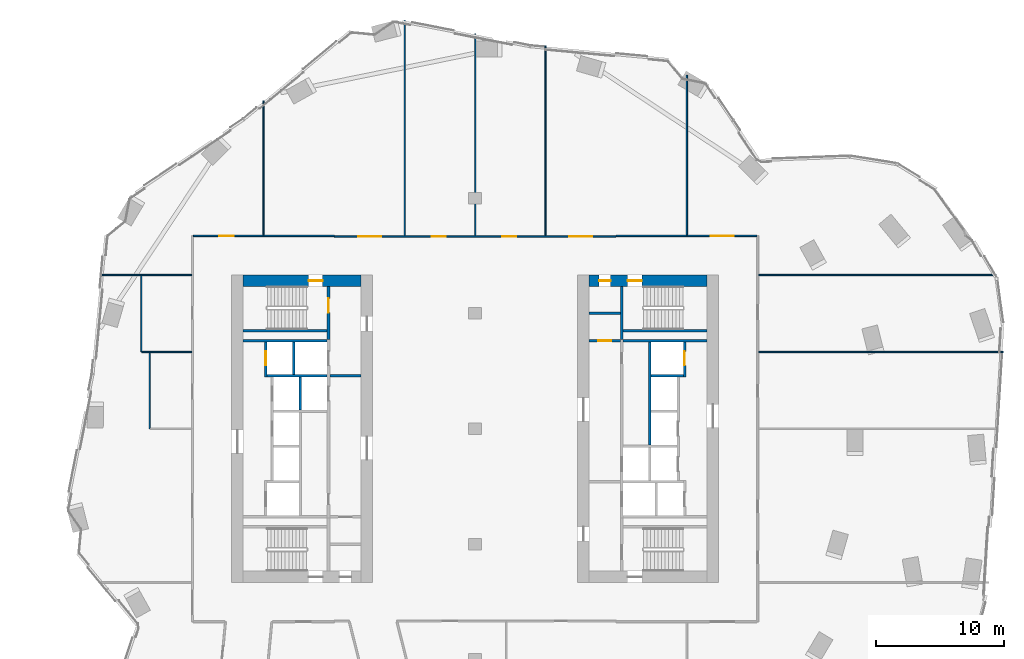
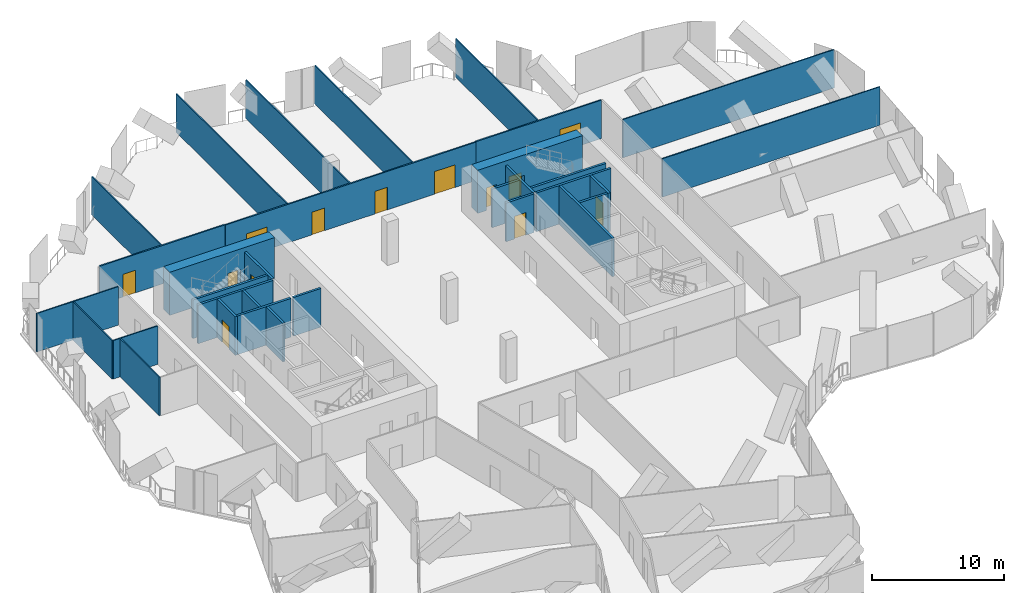
# One storey, part 23 of 28: 32 walls, 13 doors, 13 openings.
"""IFC4 building model written with IfcOpenShell, lengths in metres."""

from ifc_helpers import new_model, si_unit, direction, frame, frame_2d, origin, place, context, subcontext, project, spatial, rectangle, extrude, material, layer, layer_set, type_object, element, fill, save


model = new_model("IFC4")

# Units and contexts
model_context = context("Model", 3, precision=1e-05, world=origin(), true_north=direction((0.0, 1.0)))
body_context = subcontext(model_context, "Body", "Model", "MODEL_VIEW")
ifc_project = project(units=[si_unit("LENGTHUNIT", "METRE"), si_unit("AREAUNIT", "SQUARE_METRE"), si_unit("VOLUMEUNIT", "CUBIC_METRE"), si_unit("PLANEANGLEUNIT", "RADIAN"), si_unit("MASSUNIT", "GRAM", prefix="KILO")], contexts=[model_context])

# Site, building, storey
site_placement = place(None, origin())
site = spatial("IfcSite", under=ifc_project, at=site_placement, CompositionType="ELEMENT")
building_placement = place(site_placement, origin())
building = spatial("IfcBuilding", under=site, at=building_placement, Name="Orlundy Tower", CompositionType="ELEMENT")
storey_placement = place(building_placement, frame((0.0, 0.0, 163.10009765625)))
storey = spatial("IfcBuildingStorey", under=building, at=storey_placement, Name="L42", CompositionType="ELEMENT", Elevation=163.10009765625)

# Wall, opening, door
ifc_material_1 = material(Name="Concrete C70/85", Category="concrete")
ifc_layer_1 = layer(ifc_material_1, 0.89990234375)
ifc_layer_set_1 = layer_set([ifc_layer_1], Name="CORE WALL 900 C70/85")
wall_type_1 = type_object("IfcWallType", Name="CORE WALL 900 C70/85", PredefinedType="SHEAR", material=ifc_layer_set_1)
wall_1_placement = place(storey_placement, frame((-18.10009765625, 11.550048828125, 0.0), z_axis=(0.0, 0.0, 1.0), x_axis=(1.0, 0.0, 0.0)))
wall_1 = element("IfcWall", 1, at=wall_1_placement, inside=storey, type_object=wall_type_1, Name="Core wall W-N L42", PredefinedType="SHEAR", context=body_context, shape_type="SweptSolid", body=[
    extrude(rectangle(XDim=9.2001953125, YDim=0.89990234375, at=frame_2d((4.60009765625, 0.0))), origin(), (0.0, 0.0, 1.0), 4.0),
])
opening_1_placement = place(wall_1_placement, frame((5.10009765625, 0.0, 0.0)))
opening_1 = element("IfcOpeningElement", 2, at=opening_1_placement, cuts=wall_1, Name="Opening 33011", PredefinedType="OPENING", context=body_context, shape_type="SweptSolid", body=[
    extrude(rectangle(XDim=1.10009765625, YDim=2.10009765625, at=frame_2d((0.550048828125, 1.050048828125))), frame((0.0, 0.4599609375, 0.0), z_axis=(0.0, -1.0, 0.0), x_axis=(1.0, 0.0, 0.0)), (0.0, 0.0, 1.0), 0.919921875),
])
ifc_material_2 = material(Name="Steel door set", Category="steel")
door_type_1 = type_object("IfcDoorType", Name="Stair Door 1100x2100", OperationType="SINGLE_SWING_LEFT", PredefinedType="DOOR", material=ifc_material_2)
door_1_placement = place(opening_1_placement, origin())
door_1 = element("IfcDoor", 3, at=door_1_placement, inside=storey, type_object=door_type_1, Name="Stair door 33011", OperationType="SINGLE_SWING_RIGHT", OverallHeight=2.10009765625, OverallWidth=1.10009765625, PredefinedType="DOOR", context=body_context, shape_type="SweptSolid", body=[
    extrude(rectangle(XDim=1.10009765625, YDim=2.10009765625, at=frame_2d((0.550048828125, 1.050048828125))), frame((0.0, 0.02490234375, 0.0), z_axis=(0.0, -1.0, 0.0), x_axis=(1.0, 0.0, 0.0)), (0.0, 0.0, 1.0), 0.050048828125),
])
fill(opening_1, door_1)

# Wall, openings, doors
wall_2_placement = place(storey_placement, frame((8.89990234375, 11.550048828125, 0.0), z_axis=(0.0, 0.0, 1.0), x_axis=(1.0, 0.0, 0.0)))
wall_2 = element("IfcWall", 4, at=wall_2_placement, inside=storey, type_object=wall_type_1, Name="Core wall E-N L42", PredefinedType="SHEAR", context=body_context, shape_type="SweptSolid", body=[
    extrude(rectangle(XDim=9.2001953125, YDim=0.89990234375, at=frame_2d((4.60009765625, 0.0))), origin(), (0.0, 0.0, 1.0), 4.0),
])
opening_2_placement = place(wall_2_placement, frame((3.0, 0.0, 0.0)))
opening_2 = element("IfcOpeningElement", 5, at=opening_2_placement, cuts=wall_2, Name="Opening 33061", PredefinedType="OPENING", context=body_context, shape_type="SweptSolid", body=[
    extrude(rectangle(XDim=1.10009765625, YDim=2.10009765625, at=frame_2d((0.550048828125, 1.050048828125))), frame((0.0, 0.4599609375, 0.0), z_axis=(0.0, -1.0, 0.0), x_axis=(1.0, 0.0, 0.0)), (0.0, 0.0, 1.0), 0.919921875),
])
opening_3_placement = place(wall_2_placement, frame((0.77001953125, 0.0, 0.0)))
opening_3 = element("IfcOpeningElement", 6, at=opening_3_placement, cuts=wall_2, Name="Opening 33063", PredefinedType="OPENING", context=body_context, shape_type="SweptSolid", body=[
    extrude(rectangle(XDim=0.89990234375, YDim=2.10009765625, at=frame_2d((0.449951171875, 1.050048828125))), frame((0.0, 0.4599609375, 0.0), z_axis=(0.0, -1.0, 0.0), x_axis=(1.0, 0.0, 0.0)), (0.0, 0.0, 1.0), 0.919921875),
])
ifc_material_3 = material(Name="Timber door set", Category="wood")
door_type_2 = type_object("IfcDoorType", Name="Room Door 900x2100", OperationType="SINGLE_SWING_LEFT", PredefinedType="DOOR", material=ifc_material_3)
door_2_placement = place(opening_3_placement, origin())
door_2 = element("IfcDoor", 7, at=door_2_placement, inside=storey, type_object=door_type_2, Name="Store door 33063", OperationType="SINGLE_SWING_LEFT", OverallHeight=2.10009765625, OverallWidth=0.89990234375, PredefinedType="DOOR", context=body_context, shape_type="SweptSolid", body=[
    extrude(rectangle(XDim=0.89990234375, YDim=2.10009765625, at=frame_2d((0.449951171875, 1.050048828125))), frame((0.0, 0.02490234375, 0.0), z_axis=(0.0, -1.0, 0.0), x_axis=(1.0, 0.0, 0.0)), (0.0, 0.0, 1.0), 0.050048828125),
])
fill(opening_3, door_2)
door_3_placement = place(opening_2_placement, origin())
door_3 = element("IfcDoor", 8, at=door_3_placement, inside=storey, type_object=door_type_1, Name="Stair door 33061", OperationType="SINGLE_SWING_LEFT", OverallHeight=2.10009765625, OverallWidth=1.10009765625, PredefinedType="DOOR", context=body_context, shape_type="SweptSolid", body=[
    extrude(rectangle(XDim=1.10009765625, YDim=2.10009765625, at=frame_2d((0.550048828125, 1.050048828125))), frame((0.0, 0.02490234375, 0.0), z_axis=(0.0, -1.0, 0.0), x_axis=(1.0, 0.0, 0.0)), (0.0, 0.0, 1.0), 0.050048828125),
])
fill(opening_2, door_3)

# Walls
ifc_material_4 = material(Name="Gypsum board partition")
ifc_layer_2 = layer(ifc_material_4, 0.10009765625)
ifc_layer_set_2 = layer_set([ifc_layer_2], Name="Floor partition 100")
wall_type_2 = type_object("IfcWallType", Name="Floor partition 100", PredefinedType="PARTITIONING", material=ifc_layer_set_2)
wall_3_placement = place(storey_placement, frame((-25.998046875, 6.0009765625, 0.0), z_axis=(0.0, 0.0, 1.0), x_axis=(1.0, 0.0, 0.0)))
element("IfcWall", 9, at=wall_3_placement, inside=storey, type_object=wall_type_2, Name="wall-int-L42-050", PredefinedType="PARTITIONING", context=body_context, shape_type="SweptSolid", body=[
    extrude(rectangle(XDim=3.885009765625, YDim=0.10009765625, at=frame_2d((1.9423828125, 0.0))), origin(), (0.0, 0.0, 1.0), 3.559814453125),
])
wall_4_placement = place(storey_placement, frame((22.113037109375, 6.0, 0.0), z_axis=(0.0, 0.0, 1.0), x_axis=(1.0, 0.0, 0.0)))
element("IfcWall", 10, at=wall_4_placement, inside=storey, type_object=wall_type_2, Name="wall-int-L42-051", PredefinedType="PARTITIONING", context=body_context, shape_type="SweptSolid", body=[
    extrude(rectangle(XDim=19.080078125, YDim=0.10009765625, at=frame_2d((9.5400390625, 0.0))), origin(), (0.0, 0.0, 1.0), 3.559814453125),
])
wall_5_placement = place(storey_placement, frame((-29.260986328125, 12.0, 0.0), z_axis=(0.0, 0.0, 1.0), x_axis=(1.0, 0.0, 0.0)))
element("IfcWall", 11, at=wall_5_placement, inside=storey, type_object=wall_type_2, Name="wall-int-L42-052", PredefinedType="PARTITIONING", context=body_context, shape_type="SweptSolid", body=[
    extrude(rectangle(XDim=7.14794921875, YDim=0.10009765625, at=frame_2d((3.573974609375, 0.0))), origin(), (0.0, 0.0, 1.0), 3.559814453125),
])
wall_6_placement = place(storey_placement, frame((22.113037109375, 12.0, 0.0), z_axis=(0.0, 0.0, 1.0), x_axis=(1.0, 0.0, 0.0)))
element("IfcWall", 12, at=wall_6_placement, inside=storey, type_object=wall_type_2, Name="wall-int-L42-053", PredefinedType="PARTITIONING", context=body_context, shape_type="SweptSolid", body=[
    extrude(rectangle(XDim=18.555908203125, YDim=0.10009765625, at=frame_2d((9.27783203125, 0.0))), origin(), (0.0, 0.0, 1.0), 3.559814453125),
])
wall_7_placement = place(storey_placement, frame((16.52099609375, 15.114013671875, 0.0), z_axis=(0.0, 0.0, 1.0), x_axis=(0.0, 1.0, 0.0)))
element("IfcWall", 13, at=wall_7_placement, inside=storey, type_object=wall_type_2, Name="wall-int-L42-093", PredefinedType="PARTITIONING", context=body_context, shape_type="SweptSolid", body=[
    extrude(rectangle(XDim=12.489990234375, YDim=0.10009765625, at=frame_2d((6.2451171875, 0.0))), origin(), (0.0, 0.0, 1.0), 3.559814453125),
])
wall_8_placement = place(storey_placement, frame((5.4951171875, 15.06298828125, 0.0), z_axis=(0.0, 0.0, 1.0), x_axis=(0.0, 1.0, 0.0)))
element("IfcWall", 14, at=wall_8_placement, inside=storey, type_object=wall_type_2, Name="wall-int-L42-094", PredefinedType="PARTITIONING", context=body_context, shape_type="SweptSolid", body=[
    extrude(rectangle(XDim=14.805908203125, YDim=0.10009765625, at=frame_2d((7.40283203125, 0.0))), origin(), (0.0, 0.0, 1.0), 3.559814453125),
])
wall_9_placement = place(storey_placement, frame((0.0, 15.06298828125, 0.0), z_axis=(0.0, 0.0, 1.0), x_axis=(0.0, 1.0, 0.0)))
element("IfcWall", 15, at=wall_9_placement, inside=storey, type_object=wall_type_2, Name="wall-int-L42-096", PredefinedType="PARTITIONING", context=body_context, shape_type="SweptSolid", body=[
    extrude(rectangle(XDim=15.75390625, YDim=0.10009765625, at=frame_2d((7.876953125, 0.0))), origin(), (0.0, 0.0, 1.0), 3.559814453125),
])
wall_10_placement = place(storey_placement, frame((-5.4951171875, 15.06298828125, 0.0), z_axis=(0.0, 0.0, 1.0), x_axis=(0.0, 1.0, 0.0)))
element("IfcWall", 16, at=wall_10_placement, inside=storey, type_object=wall_type_2, Name="wall-int-L42-097", PredefinedType="PARTITIONING", context=body_context, shape_type="SweptSolid", body=[
    extrude(rectangle(XDim=16.821044921875, YDim=0.10009765625, at=frame_2d((8.41064453125, 0.0))), origin(), (0.0, 0.0, 1.0), 3.559814453125),
])
wall_11_placement = place(storey_placement, frame((-16.52001953125, 15.114013671875, 0.0), z_axis=(0.0, 0.0, 1.0), x_axis=(0.0, 1.0, 0.0)))
element("IfcWall", 17, at=wall_11_placement, inside=storey, type_object=wall_type_2, Name="wall-int-L42-103", PredefinedType="PARTITIONING", context=body_context, shape_type="SweptSolid", body=[
    extrude(rectangle(XDim=10.48388671875, YDim=0.10009765625, at=frame_2d((5.241943359375, 0.0))), origin(), (0.0, 0.0, 1.0), 3.559814453125),
])
for number, where, z_axis, x_axis, name in (
    (18, (-25.382080078125, 0.001953125, 0.0), (0.0, 0.0, 1.0), (0.0, 1.0, 0.0), "wall-int-L42-111"),
    (19, (-26.048095703125, 6.0009765625, 0.0), (0.0, 0.0, 1.0), (0.0, 1.0, 0.0), "wall-int-L42-113"),
):
    element("IfcWall", number, at=place(storey_placement, frame(where, z_axis=z_axis, x_axis=x_axis)), inside=storey, type_object=wall_type_2, Name=name, PredefinedType="PARTITIONING", context=body_context, shape_type="SweptSolid", body=[
        extrude(rectangle(XDim=5.948974609375, YDim=0.10009765625, at=frame_2d((2.974609375, 0.0))), origin(), (0.0, 0.0, 1.0), 3.559814453125),
    ])

# Wall, openings, doors
ifc_material_5 = material(Name="Gypsum board partition, double layer")
ifc_layer_3 = layer(ifc_material_5, 0.125)
ifc_layer_set_3 = layer_set([ifc_layer_3], Name="Floor partition 125")
wall_type_3 = type_object("IfcWallType", Name="Floor partition 125", PredefinedType="PARTITIONING", material=ifc_layer_set_3)
wall_12_placement = place(storey_placement, frame((-10.989990234375, 15.0009765625, 0.0), z_axis=(0.0, 0.0, 1.0), x_axis=(1.0, 0.0, 0.0)))
wall_12 = element("IfcWall", 20, at=wall_12_placement, inside=storey, type_object=wall_type_3, Name="wall-int-L42-054", PredefinedType="PARTITIONING", context=body_context, shape_type="SweptSolid", body=[
    extrude(rectangle(XDim=21.97998046875, YDim=0.125, at=frame_2d((10.989990234375, 0.0))), origin(), (0.0, 0.0, 1.0), 3.559814453125),
])
opening_4_placement = place(wall_12_placement, frame((18.3349609375, 0.0, 0.0)))
opening_4 = element("IfcOpeningElement", 21, at=opening_4_placement, cuts=wall_12, Name="Opening 33124", PredefinedType="OPENING", context=body_context, shape_type="SweptSolid", body=[
    extrude(rectangle(XDim=1.800048828125, YDim=2.10009765625, at=frame_2d((0.89990234375, 1.050048828125))), frame((0.0, 0.072509765625, 0.0), z_axis=(0.0, -1.0, 0.0), x_axis=(1.0, 0.0, 0.0)), (0.0, 0.0, 1.0), 0.14501953125),
])
opening_5_placement = place(wall_12_placement, frame((13.090087890625, 0.0, 0.0)))
opening_5 = element("IfcOpeningElement", 22, at=opening_5_placement, cuts=wall_12, Name="Opening 33125", PredefinedType="OPENING", context=body_context, shape_type="SweptSolid", body=[
    extrude(rectangle(XDim=1.10009765625, YDim=2.10009765625, at=frame_2d((0.550048828125, 1.050048828125))), frame((0.0, 0.072509765625, 0.0), z_axis=(0.0, -1.0, 0.0), x_axis=(1.0, 0.0, 0.0)), (0.0, 0.0, 1.0), 0.14501953125),
])
opening_6_placement = place(wall_12_placement, frame((7.594970703125, 0.0, 0.0)))
opening_6 = element("IfcOpeningElement", 23, at=opening_6_placement, cuts=wall_12, Name="Opening 33126", PredefinedType="OPENING", context=body_context, shape_type="SweptSolid", body=[
    extrude(rectangle(XDim=1.10009765625, YDim=2.10009765625, at=frame_2d((0.550048828125, 1.050048828125))), frame((0.0, 0.072509765625, 0.0), z_axis=(0.0, -1.0, 0.0), x_axis=(1.0, 0.0, 0.0)), (0.0, 0.0, 1.0), 0.14501953125),
])
opening_7_placement = place(wall_12_placement, frame((1.85009765625, 0.0, 0.0)))
opening_7 = element("IfcOpeningElement", 24, at=opening_7_placement, cuts=wall_12, Name="Opening 33127", PredefinedType="OPENING", context=body_context, shape_type="SweptSolid", body=[
    extrude(rectangle(XDim=1.800048828125, YDim=2.10009765625, at=frame_2d((0.89990234375, 1.050048828125))), frame((0.0, 0.072509765625, 0.0), z_axis=(0.0, -1.0, 0.0), x_axis=(1.0, 0.0, 0.0)), (0.0, 0.0, 1.0), 0.14501953125),
])
ifc_material_6 = material(Name="Timber door leaf", Category="wood")
door_type_3 = type_object("IfcDoorType", Name="Floor door double 1800 FD30S", OperationType="NOTDEFINED", PredefinedType="DOOR", material=ifc_material_6)
door_4_placement = place(opening_4_placement, origin())
door_4 = element("IfcDoor", 25, at=door_4_placement, inside=storey, type_object=door_type_3, Name="Door 33124", OperationType="DOUBLE_DOOR_SINGLE_SWING", OverallHeight=2.10009765625, OverallWidth=1.800048828125, PredefinedType="DOOR", context=body_context, shape_type="SweptSolid", body=[
    extrude(rectangle(XDim=1.800048828125, YDim=2.10009765625, at=frame_2d((0.89990234375, 1.050048828125))), frame((0.0, 0.02490234375, 0.0), z_axis=(0.0, -1.0, 0.0), x_axis=(1.0, 0.0, 0.0)), (0.0, 0.0, 1.0), 0.050048828125),
])
fill(opening_4, door_4)
door_5_placement = place(opening_7_placement, origin())
door_5 = element("IfcDoor", 26, at=door_5_placement, inside=storey, type_object=door_type_3, Name="Door 33127", OperationType="DOUBLE_DOOR_SINGLE_SWING", OverallHeight=2.10009765625, OverallWidth=1.800048828125, PredefinedType="DOOR", context=body_context, shape_type="SweptSolid", body=[
    extrude(rectangle(XDim=1.800048828125, YDim=2.10009765625, at=frame_2d((0.89990234375, 1.050048828125))), frame((0.0, 0.02490234375, 0.0), z_axis=(0.0, -1.0, 0.0), x_axis=(1.0, 0.0, 0.0)), (0.0, 0.0, 1.0), 0.050048828125),
])
fill(opening_7, door_5)
ifc_material_7 = material(Name="Timber door leaf", Category="wood")
door_type_4 = type_object("IfcDoorType", Name="Floor door xwide 1100 FD30S", OperationType="NOTDEFINED", PredefinedType="DOOR", material=ifc_material_7)
door_6_placement = place(opening_5_placement, origin())
door_6 = element("IfcDoor", 27, at=door_6_placement, inside=storey, type_object=door_type_4, Name="Door 33125", OperationType="SINGLE_SWING_RIGHT", OverallHeight=2.10009765625, OverallWidth=1.10009765625, PredefinedType="DOOR", context=body_context, shape_type="SweptSolid", body=[
    extrude(rectangle(XDim=1.10009765625, YDim=2.10009765625, at=frame_2d((0.550048828125, 1.050048828125))), frame((0.0, 0.02490234375, 0.0), z_axis=(0.0, -1.0, 0.0), x_axis=(1.0, 0.0, 0.0)), (0.0, 0.0, 1.0), 0.050048828125),
])
fill(opening_5, door_6)
door_7_placement = place(opening_6_placement, origin())
door_7 = element("IfcDoor", 28, at=door_7_placement, inside=storey, type_object=door_type_4, Name="Door 33126", OperationType="SINGLE_SWING_LEFT", OverallHeight=2.10009765625, OverallWidth=1.10009765625, PredefinedType="DOOR", context=body_context, shape_type="SweptSolid", body=[
    extrude(rectangle(XDim=1.10009765625, YDim=2.10009765625, at=frame_2d((0.550048828125, 1.050048828125))), frame((0.0, 0.02490234375, 0.0), z_axis=(0.0, -1.0, 0.0), x_axis=(1.0, 0.0, 0.0)), (0.0, 0.0, 1.0), 0.050048828125),
])
fill(opening_6, door_7)

# Wall, opening, door
wall_13_placement = place(storey_placement, frame((-21.988037109375, 15.051025390625, 0.0), z_axis=(0.0, 0.0, 1.0), x_axis=(1.0, 0.0, 0.0)))
wall_13 = element("IfcWall", 29, at=wall_13_placement, inside=storey, type_object=wall_type_3, Name="wall-int-L42-055", PredefinedType="PARTITIONING", context=body_context, shape_type="SweptSolid", body=[
    extrude(rectangle(XDim=10.9970703125, YDim=0.125, at=frame_2d((5.49853515625, 0.0))), origin(), (0.0, 0.0, 1.0), 3.559814453125),
])
opening_8_placement = place(wall_13_placement, frame((2.03759765625, 0.0, 0.0)))
opening_8 = element("IfcOpeningElement", 30, at=opening_8_placement, cuts=wall_13, Name="Opening 33128", PredefinedType="OPENING", context=body_context, shape_type="SweptSolid", body=[
    extrude(rectangle(XDim=1.10009765625, YDim=2.10009765625, at=frame_2d((0.550048828125, 1.050048828125))), frame((0.0, 0.072509765625, 0.0), z_axis=(0.0, -1.0, 0.0), x_axis=(1.0, 0.0, 0.0)), (0.0, 0.0, 1.0), 0.14501953125),
])
door_8_placement = place(opening_8_placement, origin())
door_8 = element("IfcDoor", 31, at=door_8_placement, inside=storey, type_object=door_type_4, Name="Door 33128", OperationType="SINGLE_SWING_LEFT", OverallHeight=2.10009765625, OverallWidth=1.10009765625, PredefinedType="DOOR", context=body_context, shape_type="SweptSolid", body=[
    extrude(rectangle(XDim=1.10009765625, YDim=2.10009765625, at=frame_2d((0.550048828125, 1.050048828125))), frame((0.0, 0.02490234375, 0.0), z_axis=(0.0, -1.0, 0.0), x_axis=(1.0, 0.0, 0.0)), (0.0, 0.0, 1.0), 0.050048828125),
])
fill(opening_8, door_8)

wall_14_placement = place(storey_placement, frame((10.990966796875, 15.051025390625, 0.0), z_axis=(0.0, 0.0, 1.0), x_axis=(1.0, 0.0, 0.0)))
wall_14 = element("IfcWall", 32, at=wall_14_placement, inside=storey, type_object=wall_type_3, Name="wall-int-L42-056", PredefinedType="PARTITIONING", context=body_context, shape_type="SweptSolid", body=[
    extrude(rectangle(XDim=10.9970703125, YDim=0.125, at=frame_2d((5.49853515625, 0.0))), origin(), (0.0, 0.0, 1.0), 3.559814453125),
])
opening_9_placement = place(wall_14_placement, frame((7.3798828125, 0.0, 0.0)))
opening_9 = element("IfcOpeningElement", 33, at=opening_9_placement, cuts=wall_14, Name="Opening 33123", PredefinedType="OPENING", context=body_context, shape_type="SweptSolid", body=[
    extrude(rectangle(XDim=1.800048828125, YDim=2.10009765625, at=frame_2d((0.89990234375, 1.050048828125))), frame((0.0, 0.072509765625, 0.0), z_axis=(0.0, -1.0, 0.0), x_axis=(1.0, 0.0, 0.0)), (0.0, 0.0, 1.0), 0.14501953125),
])
door_9_placement = place(opening_9_placement, origin())
door_9 = element("IfcDoor", 34, at=door_9_placement, inside=storey, type_object=door_type_3, Name="Door 33123", OperationType="DOUBLE_DOOR_SINGLE_SWING", OverallHeight=2.10009765625, OverallWidth=1.800048828125, PredefinedType="DOOR", context=body_context, shape_type="SweptSolid", body=[
    extrude(rectangle(XDim=1.800048828125, YDim=2.10009765625, at=frame_2d((0.89990234375, 1.050048828125))), frame((0.0, 0.02490234375, 0.0), z_axis=(0.0, -1.0, 0.0), x_axis=(1.0, 0.0, 0.0)), (0.0, 0.0, 1.0), 0.050048828125),
])
fill(opening_9, door_9)

ifc_material_8 = material(Name="Concrete C40/50", Category="concrete")
ifc_layer_4 = layer(ifc_material_8, 0.199951171875)
ifc_layer_set_4 = layer_set([ifc_layer_4], Name="Load-bearing Shaft Wall 200")
wall_type_4 = type_object("IfcWallType", Name="Load-bearing Shaft Wall 200", PredefinedType="SOLIDWALL", material=ifc_layer_set_4)
wall_15_placement = place(storey_placement, frame((-11.43994140625, 6.97509765625, 0.0), z_axis=(0.0, 0.0, 1.0), x_axis=(0.0, 1.0, 0.0)))
wall_15 = element("IfcWall", 35, at=wall_15_placement, inside=storey, type_object=wall_type_4, Name="Shaft wall W33-stair-end-n", PredefinedType="SOLIDWALL", context=body_context, shape_type="SweptSolid", body=[
    extrude(rectangle(XDim=4.125, YDim=0.199951171875, at=frame_2d((2.0625, 0.0))), origin(), (0.0, 0.0, 1.0), 3.579833984375),
])
opening_10_placement = place(wall_15_placement, frame((2.10009765625, 0.0, 0.0)))
opening_10 = element("IfcOpeningElement", 36, at=opening_10_placement, cuts=wall_15, Name="Opening 33013", PredefinedType="OPENING", context=body_context, shape_type="SweptSolid", body=[
    extrude(rectangle(XDim=1.10009765625, YDim=2.10009765625, at=frame_2d((0.550048828125, 1.050048828125))), frame((0.0, 0.110107421875, 0.0), z_axis=(0.0, -1.0, 0.0), x_axis=(1.0, 0.0, 0.0)), (0.0, 0.0, 1.0), 0.22021484375),
])
ifc_material_9 = material(Name="Steel door set", Category="steel")
door_type_5 = type_object("IfcDoorType", Name="Fire-fighting Lobby Door 1100x2100", OperationType="SINGLE_SWING_LEFT", PredefinedType="DOOR", material=ifc_material_9)
door_10_placement = place(opening_10_placement, origin())
door_10 = element("IfcDoor", 37, at=door_10_placement, inside=storey, type_object=door_type_5, Name="Fire-fighting lobby to stair door 33013", OperationType="SINGLE_SWING_RIGHT", OverallHeight=2.10009765625, OverallWidth=1.10009765625, PredefinedType="DOOR", context=body_context, shape_type="SweptSolid", body=[
    extrude(rectangle(XDim=1.10009765625, YDim=2.10009765625, at=frame_2d((0.550048828125, 1.050048828125))), frame((0.0, 0.02490234375, 0.0), z_axis=(0.0, -1.0, 0.0), x_axis=(1.0, 0.0, 0.0)), (0.0, 0.0, 1.0), 0.050048828125),
])
fill(opening_10, door_10)

# Walls
wall_16_placement = place(storey_placement, frame((-11.5400390625, 7.64990234375, 0.0), z_axis=(0.0, 0.0, 1.0), x_axis=(-1.0, 0.0, 0.0)))
element("IfcWall", 38, at=wall_16_placement, inside=storey, type_object=wall_type_4, Name="Shaft wall W33-stair-side-n", PredefinedType="SOLIDWALL", context=body_context, shape_type="SweptSolid", body=[
    extrude(rectangle(XDim=6.56005859375, YDim=0.199951171875, at=frame_2d((3.280029296875, 0.0))), origin(), (0.0, 0.0, 1.0), 3.579833984375),
])
wall_17_placement = place(storey_placement, frame((11.43994140625, 11.10009765625, 0.0), z_axis=(0.0, 0.0, 1.0), x_axis=(0.0, -1.0, 0.0)))
element("IfcWall", 39, at=wall_17_placement, inside=storey, type_object=wall_type_4, Name="Shaft wall E33-stair-end-s", PredefinedType="SOLIDWALL", context=body_context, shape_type="SweptSolid", body=[
    extrude(rectangle(XDim=4.125, YDim=0.199951171875, at=frame_2d((2.0625, 0.0))), origin(), (0.0, 0.0, 1.0), 3.579833984375),
])
wall_18_placement = place(storey_placement, frame((11.5400390625, 7.64990234375, 0.0), z_axis=(0.0, 0.0, 1.0), x_axis=(1.0, 0.0, 0.0)))
element("IfcWall", 40, at=wall_18_placement, inside=storey, type_object=wall_type_4, Name="Shaft wall E33-stair-side-s", PredefinedType="SOLIDWALL", context=body_context, shape_type="SweptSolid", body=[
    extrude(rectangle(XDim=6.56005859375, YDim=0.199951171875, at=frame_2d((3.280029296875, 0.0))), origin(), (0.0, 0.0, 1.0), 3.579833984375),
])
ifc_material_10 = material(Name="Gypsum board partition on steel studs", Category="steel")
ifc_layer_5 = layer(ifc_material_10, 0.199951171875)
ifc_layer_set_5 = layer_set([ifc_layer_5], Name="Partition 200")
wall_type_5 = type_object("IfcWallType", Name="Partition 200", PredefinedType="PARTITIONING", material=ifc_layer_set_5)
wall_19_placement = place(storey_placement, frame((-8.89990234375, 4.125, 0.0), z_axis=(0.0, 0.0, 1.0), x_axis=(-1.0, 0.0, 0.0)))
element("IfcWall", 41, at=wall_19_placement, inside=storey, type_object=wall_type_5, Name="Partition wall W33-lobby-n", PredefinedType="PARTITIONING", context=body_context, shape_type="SweptSolid", body=[
    extrude(rectangle(XDim=2.440185546875, YDim=0.199951171875, at=frame_2d((1.22021484375, 0.0))), origin(), (0.0, 0.0, 1.0), 3.579833984375),
])

# Wall, opening, door
wall_20_placement = place(storey_placement, frame((8.89990234375, 6.875, 0.0), z_axis=(0.0, 0.0, 1.0), x_axis=(1.0, 0.0, 0.0)))
wall_20 = element("IfcWall", 42, at=wall_20_placement, inside=storey, type_object=wall_type_5, Name="Partition wall E33-end-s", PredefinedType="PARTITIONING", context=body_context, shape_type="SweptSolid", body=[
    extrude(rectangle(XDim=2.440185546875, YDim=0.199951171875, at=frame_2d((1.22021484375, 0.0))), origin(), (0.0, 0.0, 1.0), 3.579833984375),
])
opening_11_placement = place(wall_20_placement, frame((0.719970703125, 0.0, 0.0)))
opening_11 = element("IfcOpeningElement", 43, at=opening_11_placement, cuts=wall_20, Name="Opening 33064", PredefinedType="OPENING", context=body_context, shape_type="SweptSolid", body=[
    extrude(rectangle(XDim=1.0, YDim=2.10009765625, at=frame_2d((0.5, 1.050048828125))), frame((0.0, 0.110107421875, 0.0), z_axis=(0.0, -1.0, 0.0), x_axis=(1.0, 0.0, 0.0)), (0.0, 0.0, 1.0), 0.22021484375),
])
ifc_material_11 = material(Name="Timber door set", Category="wood")
door_type_6 = type_object("IfcDoorType", Name="Accessible Door 1000x2100", OperationType="SINGLE_SWING_LEFT", PredefinedType="DOOR", material=ifc_material_11)
door_11_placement = place(opening_11_placement, origin())
door_11 = element("IfcDoor", 44, at=door_11_placement, inside=storey, type_object=door_type_6, Name="Accessible WC door 33064", OperationType="SINGLE_SWING_RIGHT", OverallHeight=2.10009765625, OverallWidth=1.0, PredefinedType="DOOR", context=body_context, shape_type="SweptSolid", body=[
    extrude(rectangle(XDim=1.0, YDim=2.10009765625, at=frame_2d((0.5, 1.050048828125))), frame((0.0, 0.02490234375, 0.0), z_axis=(0.0, -1.0, 0.0), x_axis=(1.0, 0.0, 0.0)), (0.0, 0.0, 1.0), 0.050048828125),
])
fill(opening_11, door_11)

# Walls
wall_21_placement = place(storey_placement, frame((8.89990234375, 9.0, 0.0), z_axis=(0.0, 0.0, 1.0), x_axis=(1.0, 0.0, 0.0)))
element("IfcWall", 45, at=wall_21_placement, inside=storey, type_object=wall_type_5, Name="Partition wall E33-room-s0", PredefinedType="PARTITIONING", context=body_context, shape_type="SweptSolid", body=[
    extrude(rectangle(XDim=2.440185546875, YDim=0.199951171875, at=frame_2d((1.22021484375, 0.0))), origin(), (0.0, 0.0, 1.0), 3.579833984375),
])
ifc_material_12 = material(Name="Fire-rated blockwork shaft wall", Category="masonry")
ifc_layer_6 = layer(ifc_material_12, 0.199951171875)
ifc_layer_set_6 = layer_set([ifc_layer_6], Name="Shaft Wall 200")
wall_type_6 = type_object("IfcWallType", Name="Shaft Wall 200", PredefinedType="SOLIDWALL", material=ifc_layer_set_6)
wall_22_placement = place(storey_placement, frame((-11.5400390625, 6.875, 0.0), z_axis=(0.0, 0.0, 1.0), x_axis=(-1.0, 0.0, 0.0)))
element("IfcWall", 46, at=wall_22_placement, inside=storey, type_object=wall_type_6, Name="Shaft wall W33-zone-n", PredefinedType="SOLIDWALL", context=body_context, shape_type="SweptSolid", body=[
    extrude(rectangle(XDim=6.56005859375, YDim=0.199951171875, at=frame_2d((3.280029296875, 0.0))), origin(), (0.0, 0.0, 1.0), 3.579833984375),
])
wall_23_placement = place(storey_placement, frame((-11.5400390625, 4.125, 0.0), z_axis=(0.0, 0.0, 1.0), x_axis=(-1.0, 0.0, 0.0)))
element("IfcWall", 47, at=wall_23_placement, inside=storey, type_object=wall_type_6, Name="Shaft wall W33-cross+4.125", PredefinedType="SOLIDWALL", context=body_context, shape_type="SweptSolid", body=[
    extrude(rectangle(XDim=4.699951171875, YDim=0.199951171875, at=frame_2d((2.35009765625, 0.0))), origin(), (0.0, 0.0, 1.0), 3.579833984375),
])
for number, where, z_axis, x_axis, name in (
    (48, (-13.639892578125, 1.47509765625, 0.0), (0.0, 0.0, 1.0), (0.0, 1.0, 0.0), "Shaft wall W33-mid-a.1"),
    (49, (-14.139892578125, 4.22509765625, 0.0), (0.0, 0.0, 1.0), (0.0, 1.0, 0.0), "Shaft wall W33-mid-b"),
):
    element("IfcWall", number, at=place(storey_placement, frame(where, z_axis=z_axis, x_axis=x_axis)), inside=storey, type_object=wall_type_6, Name=name, PredefinedType="SOLIDWALL", context=body_context, shape_type="SweptSolid", body=[
        extrude(rectangle(XDim=2.5498046875, YDim=0.199951171875, at=frame_2d((1.27490234375, 0.0))), origin(), (0.0, 0.0, 1.0), 3.579833984375),
    ])

# Wall, opening, door
wall_24_placement = place(storey_placement, frame((-16.340087890625, 4.02490234375, 0.0), z_axis=(0.0, 0.0, 1.0), x_axis=(0.0, 1.0, 0.0)))
wall_24 = element("IfcWall", 50, at=wall_24_placement, inside=storey, type_object=wall_type_6, Name="Shaft wall W33-front-o-c", PredefinedType="SOLIDWALL", context=body_context, shape_type="SweptSolid", body=[
    extrude(rectangle(XDim=2.75, YDim=0.199951171875, at=frame_2d((1.375, 0.0))), origin(), (0.0, 0.0, 1.0), 3.579833984375),
])
opening_12_placement = place(wall_24_placement, frame((0.925048828125, 0.0, 0.0)))
opening_12 = element("IfcOpeningElement", 51, at=opening_12_placement, cuts=wall_24, Name="Opening 33006", PredefinedType="OPENING", context=body_context, shape_type="SweptSolid", body=[
    extrude(rectangle(XDim=1.10009765625, YDim=2.10009765625, at=frame_2d((0.550048828125, 1.050048828125))), frame((0.0, 0.110107421875, 0.0), z_axis=(0.0, -1.0, 0.0), x_axis=(1.0, 0.0, 0.0)), (0.0, 0.0, 1.0), 0.22021484375),
])
ifc_material_13 = material(Name="Steel door set", Category="steel")
door_type_7 = type_object("IfcDoorType", Name="Landing Door 1100x2100", OperationType="DOUBLE_DOOR_SLIDING", PredefinedType="DOOR", material=ifc_material_13)
door_12_placement = place(opening_12_placement, origin())
door_12 = element("IfcDoor", 52, at=door_12_placement, inside=storey, type_object=door_type_7, Name="Lift landing door LP-14 33006", OperationType="DOUBLE_DOOR_SLIDING", OverallHeight=2.10009765625, OverallWidth=1.10009765625, PredefinedType="DOOR", context=body_context, shape_type="SweptSolid", body=[
    extrude(rectangle(XDim=1.10009765625, YDim=2.10009765625, at=frame_2d((0.550048828125, 1.050048828125))), frame((0.0, 0.02490234375, 0.0), z_axis=(0.0, -1.0, 0.0), x_axis=(1.0, 0.0, 0.0)), (0.0, 0.0, 1.0), 0.050048828125),
])
fill(opening_12, door_12)

# Walls
wall_25_placement = place(storey_placement, frame((11.5400390625, 6.875, 0.0), z_axis=(0.0, 0.0, 1.0), x_axis=(1.0, 0.0, 0.0)))
element("IfcWall", 53, at=wall_25_placement, inside=storey, type_object=wall_type_6, Name="Shaft wall E33-zone-s", PredefinedType="SOLIDWALL", context=body_context, shape_type="SweptSolid", body=[
    extrude(rectangle(XDim=6.56005859375, YDim=0.199951171875, at=frame_2d((3.280029296875, 0.0))), origin(), (0.0, 0.0, 1.0), 3.579833984375),
])
wall_26_placement = place(storey_placement, frame((13.739990234375, 4.125, 0.0), z_axis=(0.0, 0.0, 1.0), x_axis=(1.0, 0.0, 0.0)))
element("IfcWall", 54, at=wall_26_placement, inside=storey, type_object=wall_type_6, Name="Shaft wall E33-cross-4.125", PredefinedType="SOLIDWALL", context=body_context, shape_type="SweptSolid", body=[
    extrude(rectangle(XDim=2.5, YDim=0.199951171875, at=frame_2d((1.25, 0.0))), origin(), (0.0, 0.0, 1.0), 3.579833984375),
])
wall_27_placement = place(storey_placement, frame((13.639892578125, 6.77490234375, 0.0), z_axis=(0.0, 0.0, 1.0), x_axis=(0.0, -1.0, 0.0)))
element("IfcWall", 55, at=wall_27_placement, inside=storey, type_object=wall_type_6, Name="Shaft wall E33-mid-a", PredefinedType="SOLIDWALL", context=body_context, shape_type="SweptSolid", body=[
    extrude(rectangle(XDim=8.0498046875, YDim=0.199951171875, at=frame_2d((4.02490234375, 0.0))), origin(), (0.0, 0.0, 1.0), 3.579833984375),
])

# Wall, opening, door
wall_28_placement = place(storey_placement, frame((16.340087890625, 6.77490234375, 0.0), z_axis=(0.0, 0.0, 1.0), x_axis=(0.0, -1.0, 0.0)))
wall_28 = element("IfcWall", 56, at=wall_28_placement, inside=storey, type_object=wall_type_6, Name="Shaft wall E33-front-o-a", PredefinedType="SOLIDWALL", context=body_context, shape_type="SweptSolid", body=[
    extrude(rectangle(XDim=2.75, YDim=0.199951171875, at=frame_2d((1.375, 0.0))), origin(), (0.0, 0.0, 1.0), 3.579833984375),
])
opening_13_placement = place(wall_28_placement, frame((0.72509765625, 0.0, 0.0)))
opening_13 = element("IfcOpeningElement", 57, at=opening_13_placement, cuts=wall_28, Name="Opening 33050", PredefinedType="OPENING", context=body_context, shape_type="SweptSolid", body=[
    extrude(rectangle(XDim=1.10009765625, YDim=2.10009765625, at=frame_2d((0.550048828125, 1.050048828125))), frame((0.0, 0.110107421875, 0.0), z_axis=(0.0, -1.0, 0.0), x_axis=(1.0, 0.0, 0.0)), (0.0, 0.0, 1.0), 0.22021484375),
])
door_13_placement = place(opening_13_placement, origin())
door_13 = element("IfcDoor", 58, at=door_13_placement, inside=storey, type_object=door_type_7, Name="Lift landing door LV-02 33050", OperationType="DOUBLE_DOOR_SLIDING", OverallHeight=2.10009765625, OverallWidth=1.10009765625, PredefinedType="DOOR", context=body_context, shape_type="SweptSolid", body=[
    extrude(rectangle(XDim=1.10009765625, YDim=2.10009765625, at=frame_2d((0.550048828125, 1.050048828125))), frame((0.0, 0.02490234375, 0.0), z_axis=(0.0, -1.0, 0.0), x_axis=(1.0, 0.0, 0.0)), (0.0, 0.0, 1.0), 0.050048828125),
])
fill(opening_13, door_13)

save(model, "model.ifc")
